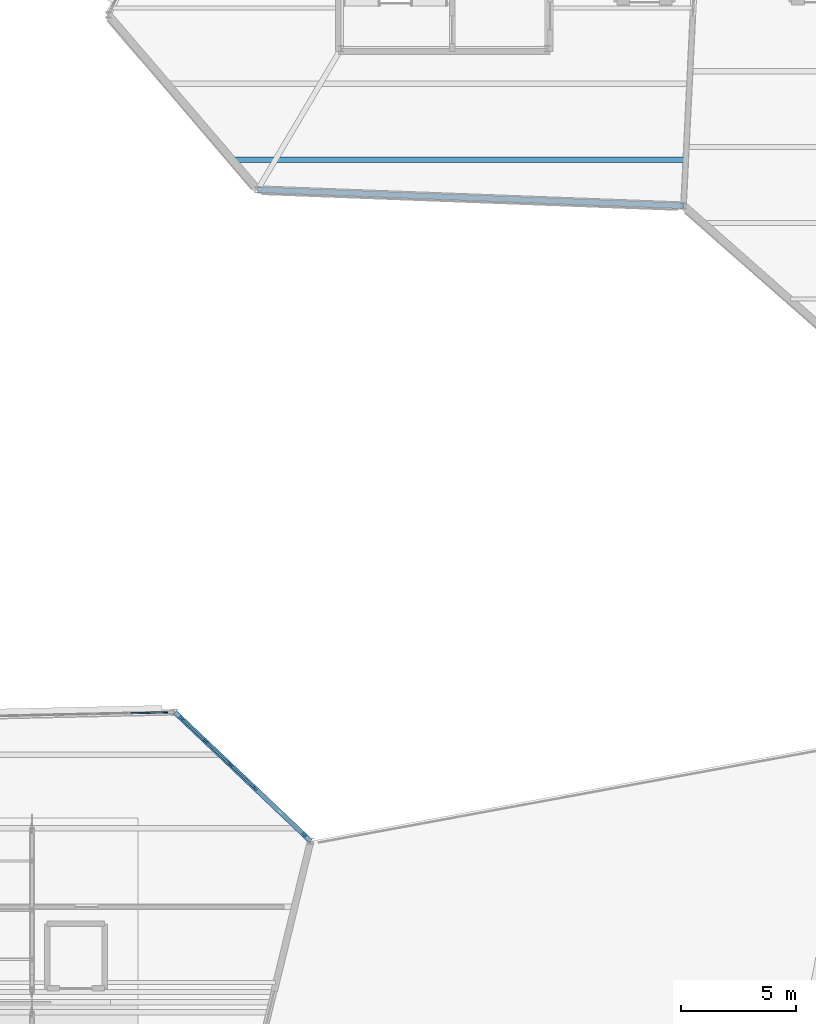
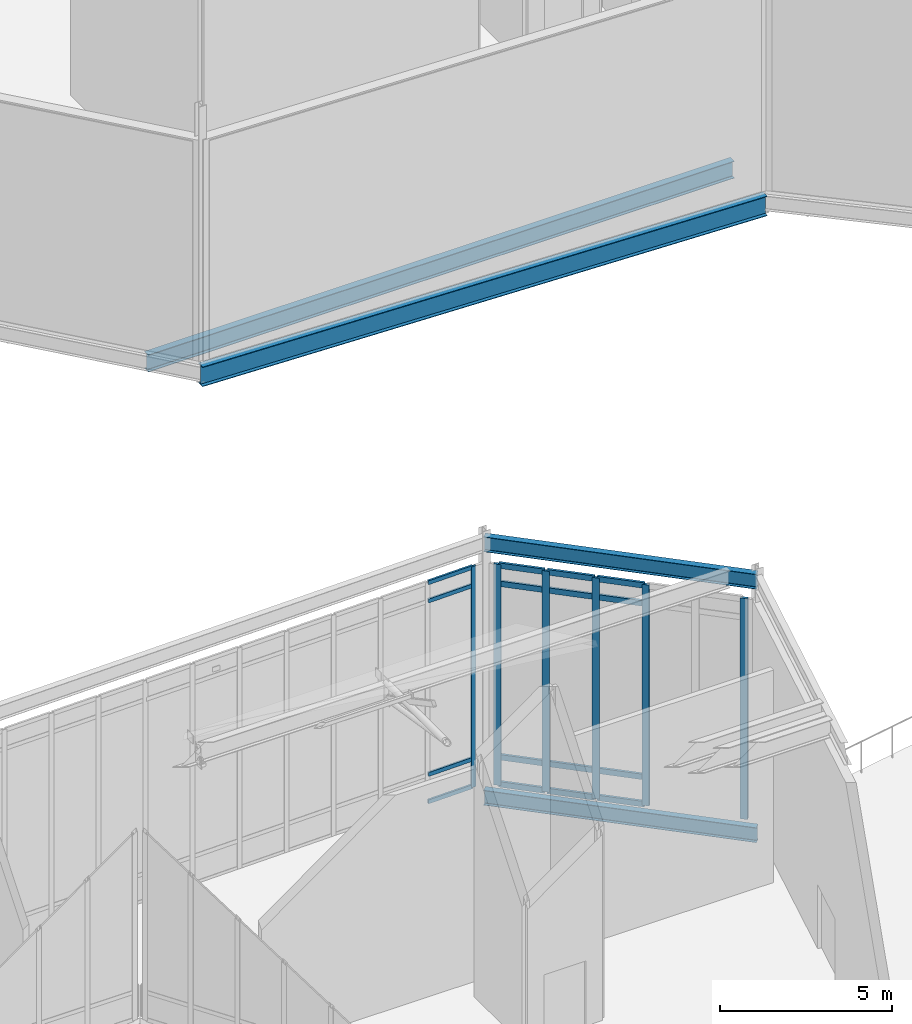
# One storey, part 31 of 66: 22 members, 4 beams, 2 elements without a shape of their own.
"""IFC4 building model written with IfcOpenShell, lengths in metres."""

import ifcopenshell
import ifcopenshell.guid

model = None  # the IFC model being written
_history = None  # IfcOwnerHistory: only IFC2X3 demands one
_inside = {}  # id of a spatial element -> (the spatial element, [elements in it])
_under = {}  # id of a project, library or spatial element -> (it, [spatial elements below it])
_declared = {}  # id of a project -> (the project, [libraries it declares])
_typed = {}  # id of a type object -> (the type object, [elements of that type])
_made_of = {}  # id of a material, layer set ... -> (it, [elements and type objects made of it])


def new_model(schema):
    """Start an empty IFC model of exactly this schema.

    Asked for "IFC4X3", IfcOpenShell would pick the latest addendum, in which some entities
    have other attributes; the version numbers below select the first issue.
    IFC2X3 requires an IfcOwnerHistory on every rooted entity: one is made here for all.
    """
    global model, _history
    if schema == "IFC4X3":
        model = ifcopenshell.file(schema_version=(4, 3, 0, 0))
    else:
        model = ifcopenshell.file(schema=schema)
    _inside.clear()
    _under.clear()
    _declared.clear()
    _typed.clear()
    _made_of.clear()
    _history = None
    if model.schema == "IFC2X3":
        org = make("IfcOrganization", Name="unknown")
        user = make(
            "IfcPersonAndOrganization",
            ThePerson=make("IfcPerson", FamilyName="unknown"),
            TheOrganization=org,
        )
        app = make(
            "IfcApplication",
            ApplicationDeveloper=org,
            Version="unknown",
            ApplicationFullName="unknown",
            ApplicationIdentifier="unknown",
        )
        _history = make(
            "IfcOwnerHistory",
            OwningUser=user,
            OwningApplication=app,
            ChangeAction="ADDED",
            CreationDate=0,
        )
    return model


def make(cls, **values):
    """One entity of the class cls with the attributes given. An attribute that is None is left unset."""
    return model.create_entity(
        cls, **{name: value for name, value in values.items() if value is not None}
    )


def rooted(cls, **values):
    """An entity with a GlobalId (a new one), such as an element, a storey or a relation."""
    return make(cls, GlobalId=ifcopenshell.guid.new(), OwnerHistory=_history, **values)


def si_unit(unit_type, name, prefix=None):
    """IfcSIUnit, for example si_unit("LENGTHUNIT", "METRE", prefix="MILLI")."""
    return make("IfcSIUnit", UnitType=unit_type, Prefix=prefix, Name=name)


def assignment(units):
    """IfcUnitAssignment: the units of a project."""
    return None if units is None else make("IfcUnitAssignment", Units=units)


def point(xyz):
    """IfcCartesianPoint."""
    return None if xyz is None else make("IfcCartesianPoint", Coordinates=xyz)


def direction(xyz):
    """IfcDirection."""
    return None if xyz is None else make("IfcDirection", DirectionRatios=xyz)


def frame(location, z_axis=None, x_axis=None):
    """IfcAxis2Placement3D, a coordinate frame: its origin and axes. An axis left out is left unset."""
    return make(
        "IfcAxis2Placement3D",
        Location=point(location),
        Axis=direction(z_axis),
        RefDirection=direction(x_axis),
    )


def frame_2d(location, x_axis=None):
    """IfcAxis2Placement2D, a coordinate frame in the plane: its origin and x axis."""
    return make(
        "IfcAxis2Placement2D", Location=point(location), RefDirection=direction(x_axis)
    )


def origin():
    """The frame at (0, 0, 0) with its axes left unset."""
    return frame((0.0, 0.0, 0.0))


def origin_2d():
    """The frame at (0, 0) in the plane with its x axis left unset."""
    return frame_2d((0.0, 0.0))


def place(relative_to, where):
    """IfcLocalPlacement: puts the frame where relative to a parent placement (None: the world)."""
    return make(
        "IfcLocalPlacement", PlacementRelTo=relative_to, RelativePlacement=where
    )


def context(
    kind, dimensions, precision=None, world=None, true_north=None, identifier=None
):
    """IfcGeometricRepresentationContext, for example the 3D "Model" context."""
    return make(
        "IfcGeometricRepresentationContext",
        ContextIdentifier=identifier,
        ContextType=kind,
        CoordinateSpaceDimension=dimensions,
        Precision=precision,
        WorldCoordinateSystem=world,
        TrueNorth=true_north,
    )


def subcontext(parent, identifier, kind, view, scale=None):
    """IfcGeometricRepresentationSubContext, for example "Body" below "Model"."""
    return make(
        "IfcGeometricRepresentationSubContext",
        ContextIdentifier=identifier,
        ContextType=kind,
        ParentContext=parent,
        TargetScale=scale,
        TargetView=view,
    )


def project(units=None, contexts=None):
    """IfcProject with its units and contexts."""
    return rooted(
        "IfcProject",
        Name="project",
        RepresentationContexts=contexts,
        UnitsInContext=assignment(units),
    )


def spatial(cls, under=None, at=None, **own):
    """A site, building, storey or space (cls), placed at a placement, below another one or the project."""
    s = rooted(cls, ObjectPlacement=at, **own)
    if under is not None:
        _under.setdefault(under.id(), (under, []))[1].append(s)
    return s


def profile(cls, at=None, kind="AREA", **sizes):
    """A parametric profile (cls). Its sizes go by their IFC names, for example OverallWidth=200.0."""
    return make(cls, ProfileType=kind, Position=at, **sizes)


def rectangle(**sizes):
    """IfcRectangleProfileDef."""
    return profile("IfcRectangleProfileDef", **sizes)


def i_section(**sizes):
    """IfcIShapeProfileDef."""
    return profile("IfcIShapeProfileDef", **sizes)


def extrude(swept, where, along, depth):
    """IfcExtrudedAreaSolid: the profile swept, set in the frame where, extruded along a direction by depth."""
    return make(
        "IfcExtrudedAreaSolid",
        SweptArea=swept,
        Position=where,
        ExtrudedDirection=direction(along),
        Depth=depth,
    )


def shape(context_of_items, identifier, shape_type, items):
    """IfcShapeRepresentation: the items that make up one representation, for example the "Body"."""
    return make(
        "IfcShapeRepresentation",
        ContextOfItems=context_of_items,
        RepresentationIdentifier=identifier,
        RepresentationType=shape_type,
        Items=items,
    )


def material(Name=None, Category=None):
    """IfcMaterial."""
    return make("IfcMaterial", Name=Name, Category=Category)


def material_profile(
    of_material, cross_section, Name=None, Category=None, Priority=None
):
    """IfcMaterialProfile: a cross section and its material."""
    return make(
        "IfcMaterialProfile",
        Name=Name,
        Material=of_material,
        Profile=cross_section,
        Priority=Priority,
        Category=Category,
    )


def profile_set(profiles, Name=None, composite=None):
    """IfcMaterialProfileSet."""
    return make(
        "IfcMaterialProfileSet",
        Name=Name,
        MaterialProfiles=profiles,
        CompositeProfile=composite,
    )


def made_of(thing, what):
    """Note that an element or type object is made of a material, layer set ...; save() writes the relation."""
    if what is not None:
        _made_of.setdefault(what.id(), (what, []))[1].append(thing)
    return thing


def type_object(cls, material=None, **own):
    """A type object (cls), such as IfcWallType, which elements share."""
    return made_of(rooted(cls, **own), material)


def element(
    cls,
    number,
    at=None,
    inside=None,
    cuts=None,
    type_object=None,
    material=None,
    context=None,
    identifier="Body",
    shape_type=None,
    held_by="IfcProductDefinitionShape",
    body=None,
    shapes=None,
    **own,
):
    """One element of the class cls, such as IfcWall. Its Tag is "e" and its number.

    at: its placement. inside: the storey or other place that contains it. cuts: it is an
    opening in that element (IfcRelVoidsElement). A single representation is given by context,
    identifier, shape_type and body (its items); several are given by shapes. held_by: the class
    of the entity that holds the representations. save() writes the other relations.
    """
    e = rooted(cls, Tag="e%d" % number, ObjectPlacement=at, **own)
    if body is not None:
        shapes = [shape(context, identifier, shape_type, body)]
    if shapes is not None:
        e.Representation = make(held_by, Representations=shapes)
    if inside is not None:
        _inside.setdefault(inside.id(), (inside, []))[1].append(e)
    if cuts is not None:
        rooted(
            "IfcRelVoidsElement", RelatingBuildingElement=cuts, RelatedOpeningElement=e
        )
    if type_object is not None:
        _typed.setdefault(type_object.id(), (type_object, []))[1].append(e)
    return made_of(e, material)


def aggregate(whole, parts):
    """IfcRelAggregates: a whole, such as a stair, and the parts it consists of."""
    return rooted("IfcRelAggregates", RelatingObject=whole, RelatedObjects=parts)


def save(model, path):
    """Write the relations noted so far, then the file.

    IfcRelAggregates (storeys below a building ...), IfcRelContainedInSpatialStructure (elements
    in a storey), IfcRelDefinesByType, IfcRelAssociatesMaterial and IfcRelDeclares: one each for
    every whole, place, type object, material and project.
    """
    for whole, parts in _under.values():
        aggregate(whole, parts)
    for where, things in _inside.values():
        rooted(
            "IfcRelContainedInSpatialStructure",
            RelatedElements=things,
            RelatingStructure=where,
        )
    for kind, things in _typed.values():
        rooted("IfcRelDefinesByType", RelatedObjects=things, RelatingType=kind)
    for what, things in _made_of.values():
        rooted("IfcRelAssociatesMaterial", RelatedObjects=things, RelatingMaterial=what)
    for by, libraries in _declared.values():
        rooted("IfcRelDeclares", RelatingContext=by, RelatedDefinitions=libraries)
    model.write(path)


model = new_model("IFC4")

# Units and contexts
model_context = context("Model", 3, precision=1e-05, world=origin(), true_north=direction((0.0, 1.0)))
body_context = subcontext(model_context, "Body", "Model", "MODEL_VIEW")
ifc_project = project(units=[si_unit("LENGTHUNIT", "METRE"), si_unit("AREAUNIT", "SQUARE_METRE"), si_unit("VOLUMEUNIT", "CUBIC_METRE"), si_unit("PLANEANGLEUNIT", "RADIAN"), si_unit("MASSUNIT", "GRAM", prefix="KILO")], contexts=[model_context])

# Site, building, storey
site_placement = place(None, origin())
site = spatial("IfcSite", under=ifc_project, at=site_placement, CompositionType="ELEMENT")
building_placement = place(site_placement, origin())
building = spatial("IfcBuilding", under=site, at=building_placement, Name="Tameran Prism Museum", CompositionType="ELEMENT")
storey_placement = place(building_placement, frame((0.0, 0.0, 19.800048828125)))
storey = spatial("IfcBuildingStorey", under=building, at=storey_placement, Name="L04", CompositionType="ELEMENT", Elevation=19.800048828125)

# Beams
ifc_material_1 = material(Name="Steel Grade 300PLUS (300 MPa)", Category="steel")
ifc_material_profile_1 = material_profile(ifc_material_1, i_section(OverallWidth=0.208984375, OverallDepth=0.528076171875, WebThickness=0.009521484375, FlangeThickness=0.01318359375, FilletRadius=0.013916015625, at=origin_2d()))
ifc_profile_set_1 = profile_set([ifc_material_profile_1])
beam_type_1 = type_object("IfcBeamType", Name="BM-SP530B", PredefinedType="SPANDREL", material=ifc_profile_set_1)
for number, where, z_axis, x_axis, name in (
    (1, (101.699951171875, 43.0, -0.464111328125), (-0.725294606745, 0.688438619942, 0.0), (-0.688438619942, -0.725294606745, 0.0), "Perimeter Spandrel SP-1170"),
    (2, (101.699951171875, 43.0, 8.505859375), (-0.725294606745, 0.688438619942, 0.0), (-0.688438619942, -0.725294606745, 0.0), "Roof Ring Beam RB-1175"),
):
    element("IfcBeam", number, at=place(storey_placement, frame(where, z_axis=z_axis, x_axis=x_axis)), inside=storey, type_object=beam_type_1, Name=name, PredefinedType="SPANDREL", context=body_context, shape_type="SweptSolid", body=[
        extrude(i_section(OverallWidth=0.208984375, OverallDepth=0.528076171875, WebThickness=0.009521484375, FlangeThickness=0.01318359375, FilletRadius=0.013916015625, at=origin_2d()), origin(), (0.0, 0.0, 1.0), 8.134521484375),
    ])
ifc_material_2 = material(Name="Steel Grade 350 (350 MPa)", Category="steel")
ifc_material_profile_2 = material_profile(ifc_material_2, i_section(OverallWidth=0.25, OverallDepth=0.699951171875, WebThickness=0.010009765625, FlangeThickness=0.02001953125, at=origin_2d()))
ifc_profile_set_2 = profile_set([ifc_material_profile_2])
beam_type_2 = type_object("IfcBeamType", Name="BM-SP700", PredefinedType="SPANDREL", material=ifc_profile_set_2)
beam_1_placement = place(storey_placement, frame((99.39990234375, 71.300048828125, -0.590087890625), z_axis=(0.999285016412, -0.037808146934, 0.0), x_axis=(0.037808146934, 0.999285016412, 0.0)))
element("IfcBeam", 3, at=beam_1_placement, inside=storey, type_object=beam_type_2, Name="Perimeter Spandrel SP-1140", PredefinedType="SPANDREL", context=body_context, shape_type="SweptSolid", body=[
    extrude(i_section(OverallWidth=0.25, OverallDepth=0.699951171875, WebThickness=0.010009765625, FlangeThickness=0.02001953125, at=origin_2d()), origin(), (0.0, 0.0, 1.0), 18.51318359375),
])
ifc_material_3 = material(Name="Steel Grade 300PLUS (300 MPa)", Category="steel")
ifc_material_profile_3 = material_profile(ifc_material_3, i_section(OverallWidth=0.22802734375, OverallDepth=0.60693359375, WebThickness=0.01123046875, FlangeThickness=0.017333984375, FilletRadius=0.013916015625, at=origin_2d()))
ifc_profile_set_3 = profile_set([ifc_material_profile_3])
beam_type_3 = type_object("IfcBeamType", Name="BM-UB610B", PredefinedType="BEAM", material=ifc_profile_set_3)
beam_2_placement = place(storey_placement, frame((98.341064453125, 72.60009765625, -0.54345703125), z_axis=(1.0, 0.0, 0.0), x_axis=(0.0, 1.0, 0.0)))
element("IfcBeam", 4, at=beam_2_placement, inside=storey, type_object=beam_type_3, Name="Floor Beam BM-1197", PredefinedType="BEAM", context=body_context, shape_type="SweptSolid", body=[
    extrude(i_section(OverallWidth=0.22802734375, OverallDepth=0.60693359375, WebThickness=0.01123046875, FlangeThickness=0.017333984375, FilletRadius=0.013916015625, at=origin_2d()), origin(), (0.0, 0.0, 1.0), 19.615966796875),
])

# Curtain wall, member
ifc_material_4 = material(Name="Anodised Aluminium 6063-T6 and Cyclone Solar Glass", Category="aluminium")
curtain_wall_type_1 = type_object("IfcCurtainWallType", Name="CW-FAC-1754x782", PredefinedType="USERDEFINED", material=ifc_material_4)
curtain_wall_1_placement = place(storey_placement, origin())
curtain_wall_1 = element("IfcCurtainWall", 5, at=curtain_wall_1_placement, inside=storey, type_object=curtain_wall_type_1, Name="Unitised Curtain Wall CW-163", ObjectType="UNITISED CURTAIN WALL", PredefinedType="USERDEFINED")
ifc_material_5 = material(Name="Anodised Aluminium Alloy 6063-T6", Category="aluminium")
ifc_material_profile_4 = material_profile(ifc_material_5, rectangle(XDim=0.06494140625, YDim=0.159912109375, at=origin_2d()))
ifc_profile_set_4 = profile_set([ifc_material_profile_4])
member_type_1 = type_object("IfcMemberType", Name="CW-MUL-A", PredefinedType="MULLION", material=ifc_profile_set_4)
member_1_placement = place(storey_placement, frame((95.41748046875, 48.59130859375, 0.0), z_axis=(0.0, 0.0, 1.0), x_axis=(-0.021830600058, 0.999761684053, 0.0)))
member_1 = element("IfcMember", 6, at=member_1_placement, type_object=member_type_1, Name="CW-163 mullion 12", PredefinedType="MULLION", context=body_context, shape_type="SweptSolid", body=[
    extrude(rectangle(XDim=0.06494140625, YDim=0.159912109375, at=origin_2d()), origin(), (0.0, 0.0, 1.0), 7.820068359375),
])

# Curtain wall, members
ifc_material_6 = material(Name="Anodised Aluminium 6063-T6 and Cyclone Solar Glass", Category="aluminium")
curtain_wall_type_2 = type_object("IfcCurtainWallType", Name="CW-FAC-743x782", PredefinedType="USERDEFINED", material=ifc_material_6)
curtain_wall_2_placement = place(storey_placement, origin())
curtain_wall_2 = element("IfcCurtainWall", 7, at=curtain_wall_2_placement, inside=storey, type_object=curtain_wall_type_2, Name="Unitised Curtain Wall CW-162", ObjectType="UNITISED CURTAIN WALL", PredefinedType="USERDEFINED")
ifc_material_7 = material(Name="Anodised Aluminium Alloy 6063-T6", Category="aluminium")
ifc_material_profile_5 = material_profile(ifc_material_7, rectangle(XDim=0.080078125, YDim=0.219970703125, at=origin_2d()))
ifc_profile_set_5 = profile_set([ifc_material_profile_5])
member_type_2 = type_object("IfcMemberType", Name="CW-MUL-D", PredefinedType="MULLION", material=ifc_profile_set_5)
member_2_placement = place(storey_placement, frame((96.0830078125, 48.33154296875, 0.0), z_axis=(0.0, 0.0, 1.0), x_axis=(0.688438303707, 0.72529490691, 0.0)))
member_2 = element("IfcMember", 8, at=member_2_placement, type_object=member_type_2, Name="CW-162 mullion 1", PredefinedType="MULLION", context=body_context, shape_type="SweptSolid", body=[
    extrude(rectangle(XDim=0.080078125, YDim=0.219970703125, at=origin_2d()), origin(), (0.0, 0.0, 1.0), 7.820068359375),
])
member_3_placement = place(storey_placement, frame((97.13232421875, 47.33544921875, 0.0), z_axis=(0.0, 0.0, 1.0), x_axis=(0.688438303707, 0.72529490691, 0.0)))
member_3 = element("IfcMember", 9, at=member_3_placement, type_object=member_type_2, Name="CW-162 mullion 2", PredefinedType="MULLION", context=body_context, shape_type="SweptSolid", body=[
    extrude(rectangle(XDim=0.080078125, YDim=0.219970703125, at=origin_2d()), origin(), (0.0, 0.0, 1.0), 7.820068359375),
])
member_4_placement = place(storey_placement, frame((98.210693359375, 46.311767578125, 0.0), z_axis=(0.0, 0.0, 1.0), x_axis=(0.688438303707, 0.72529490691, 0.0)))
member_4 = element("IfcMember", 10, at=member_4_placement, type_object=member_type_2, Name="CW-162 mullion 3", PredefinedType="MULLION", context=body_context, shape_type="SweptSolid", body=[
    extrude(rectangle(XDim=0.080078125, YDim=0.219970703125, at=origin_2d()), origin(), (0.0, 0.0, 1.0), 7.820068359375),
])
member_5_placement = place(storey_placement, frame((99.289306640625, 45.2880859375, 0.0), z_axis=(0.0, 0.0, 1.0), x_axis=(0.688438303707, 0.72529490691, 0.0)))
member_5 = element("IfcMember", 11, at=member_5_placement, type_object=member_type_2, Name="CW-162 mullion 4", PredefinedType="MULLION", context=body_context, shape_type="SweptSolid", body=[
    extrude(rectangle(XDim=0.080078125, YDim=0.219970703125, at=origin_2d()), origin(), (0.0, 0.0, 1.0), 7.820068359375),
])
member_6_placement = place(storey_placement, frame((101.4169921875, 43.2685546875, 0.0), z_axis=(0.0, 0.0, 1.0), x_axis=(0.688438303707, 0.72529490691, 0.0)))
member_6 = element("IfcMember", 12, at=member_6_placement, type_object=member_type_2, Name="CW-162 mullion 6", PredefinedType="MULLION", context=body_context, shape_type="SweptSolid", body=[
    extrude(rectangle(XDim=0.080078125, YDim=0.219970703125, at=origin_2d()), origin(), (0.0, 0.0, 1.0), 7.820068359375),
])

# Member
ifc_material_8 = material(Name="Anodised Aluminium Alloy 6063-T6", Category="aluminium")
ifc_material_profile_6 = material_profile(ifc_material_8, rectangle(XDim=0.06494140625, YDim=0.139892578125, at=origin_2d()))
ifc_profile_set_6 = profile_set([ifc_material_profile_6])
member_type_3 = type_object("IfcMemberType", Name="CW-TRN-A", PredefinedType="USERDEFINED", material=ifc_profile_set_6)
member_7_placement = place(storey_placement, frame((93.887939453125, 48.557861328125, 0.032470703125), z_axis=(0.999761317928, 0.021847360829, 0.0), x_axis=(-0.021847360829, 0.999761317928, 0.0)))
member_7 = element("IfcMember", 13, at=member_7_placement, type_object=member_type_3, Name="CW-163 transom 11.1", ObjectType="TRANSOM", PredefinedType="USERDEFINED", context=body_context, shape_type="SweptSolid", body=[
    extrude(rectangle(XDim=0.06494140625, YDim=0.139892578125, at=origin_2d()), origin(), (0.0, 0.0, 1.0), 1.497314453125),
])

member_8_placement = place(storey_placement, frame((93.887939453125, 48.557861328125, 1.0), z_axis=(0.999761317928, 0.021847360829, 0.0), x_axis=(-0.021847360829, 0.999761317928, 0.0)))
member_8 = element("IfcMember", 14, at=member_8_placement, type_object=member_type_3, Name="CW-163 transom 11.2", ObjectType="TRANSOM", PredefinedType="USERDEFINED", context=body_context, shape_type="SweptSolid", body=[
    extrude(rectangle(XDim=0.06494140625, YDim=0.139892578125, at=origin_2d()), origin(), (0.0, 0.0, 1.0), 1.497314453125),
])

member_9_placement = place(storey_placement, frame((93.887939453125, 48.557861328125, 7.139892578125), z_axis=(0.999761317928, 0.021847360829, 0.0), x_axis=(-0.021847360829, 0.999761317928, 0.0)))
member_9 = element("IfcMember", 15, at=member_9_placement, type_object=member_type_3, Name="CW-163 transom 11.3", ObjectType="TRANSOM", PredefinedType="USERDEFINED", context=body_context, shape_type="SweptSolid", body=[
    extrude(rectangle(XDim=0.06494140625, YDim=0.139892578125, at=origin_2d()), origin(), (0.0, 0.0, 1.0), 1.497314453125),
])

member_10_placement = place(storey_placement, frame((93.887939453125, 48.557861328125, 7.787353515625), z_axis=(0.999761317928, 0.021847360829, 0.0), x_axis=(-0.021847360829, 0.999761317928, 0.0)))
member_10 = element("IfcMember", 16, at=member_10_placement, type_object=member_type_3, Name="CW-163 transom 11.4", ObjectType="TRANSOM", PredefinedType="USERDEFINED", context=body_context, shape_type="SweptSolid", body=[
    extrude(rectangle(XDim=0.06494140625, YDim=0.139892578125, at=origin_2d()), origin(), (0.0, 0.0, 1.0), 1.497314453125),
])

aggregate(curtain_wall_1, [member_1, member_7, member_8, member_9, member_10])

ifc_material_9 = material(Name="Anodised Aluminium Alloy 6063-T6", Category="aluminium")
ifc_material_profile_7 = material_profile(ifc_material_9, rectangle(XDim=0.080078125, YDim=0.195068359375, at=origin_2d()))
ifc_profile_set_7 = profile_set([ifc_material_profile_7])
member_type_4 = type_object("IfcMemberType", Name="CW-TRN-D", PredefinedType="USERDEFINED", material=ifc_profile_set_7)
member_11_placement = place(storey_placement, frame((96.112060546875, 48.303955078125, 0.0400390625), z_axis=(0.725266982543, -0.688467721853, 0.0), x_axis=(0.688467721853, 0.725266982543, 0.0)))
member_11 = element("IfcMember", 17, at=member_11_placement, type_object=member_type_4, Name="CW-162 transom 1.1", ObjectType="TRANSOM", PredefinedType="USERDEFINED", context=body_context, shape_type="SweptSolid", body=[
    extrude(rectangle(XDim=0.080078125, YDim=0.195068359375, at=origin_2d()), origin(), (0.0, 0.0, 1.0), 1.36669921875),
])

member_12_placement = place(storey_placement, frame((96.112060546875, 48.303955078125, 1.0), z_axis=(0.725266982543, -0.688467721853, 0.0), x_axis=(0.688467721853, 0.725266982543, 0.0)))
member_12 = element("IfcMember", 18, at=member_12_placement, type_object=member_type_4, Name="CW-162 transom 1.2", ObjectType="TRANSOM", PredefinedType="USERDEFINED", context=body_context, shape_type="SweptSolid", body=[
    extrude(rectangle(XDim=0.080078125, YDim=0.195068359375, at=origin_2d()), origin(), (0.0, 0.0, 1.0), 1.36669921875),
])

member_13_placement = place(storey_placement, frame((96.112060546875, 48.303955078125, 7.139892578125), z_axis=(0.725266982543, -0.688467721853, 0.0), x_axis=(0.688467721853, 0.725266982543, 0.0)))
member_13 = element("IfcMember", 19, at=member_13_placement, type_object=member_type_4, Name="CW-162 transom 1.3", ObjectType="TRANSOM", PredefinedType="USERDEFINED", context=body_context, shape_type="SweptSolid", body=[
    extrude(rectangle(XDim=0.080078125, YDim=0.195068359375, at=origin_2d()), origin(), (0.0, 0.0, 1.0), 1.36669921875),
])

member_14_placement = place(storey_placement, frame((96.112060546875, 48.303955078125, 7.780029296875), z_axis=(0.725266982543, -0.688467721853, 0.0), x_axis=(0.688467721853, 0.725266982543, 0.0)))
member_14 = element("IfcMember", 20, at=member_14_placement, type_object=member_type_4, Name="CW-162 transom 1.4", ObjectType="TRANSOM", PredefinedType="USERDEFINED", context=body_context, shape_type="SweptSolid", body=[
    extrude(rectangle(XDim=0.080078125, YDim=0.195068359375, at=origin_2d()), origin(), (0.0, 0.0, 1.0), 1.36669921875),
])

member_15_placement = place(storey_placement, frame((97.161376953125, 47.307861328125, 0.0400390625), z_axis=(0.725345941217, -0.688384533208, 0.0), x_axis=(0.688384533208, 0.725345941217, 0.0)))
member_15 = element("IfcMember", 21, at=member_15_placement, type_object=member_type_4, Name="CW-162 transom 2.1", ObjectType="TRANSOM", PredefinedType="USERDEFINED", context=body_context, shape_type="SweptSolid", body=[
    extrude(rectangle(XDim=0.080078125, YDim=0.195068359375, at=origin_2d()), origin(), (0.0, 0.0, 1.0), 1.406982421875),
])

member_16_placement = place(storey_placement, frame((97.161376953125, 47.307861328125, 1.0), z_axis=(0.725345941217, -0.688384533208, 0.0), x_axis=(0.688384533208, 0.725345941217, 0.0)))
member_16 = element("IfcMember", 22, at=member_16_placement, type_object=member_type_4, Name="CW-162 transom 2.2", ObjectType="TRANSOM", PredefinedType="USERDEFINED", context=body_context, shape_type="SweptSolid", body=[
    extrude(rectangle(XDim=0.080078125, YDim=0.195068359375, at=origin_2d()), origin(), (0.0, 0.0, 1.0), 1.406982421875),
])

member_17_placement = place(storey_placement, frame((97.161376953125, 47.307861328125, 7.139892578125), z_axis=(0.725345941217, -0.688384533208, 0.0), x_axis=(0.688384533208, 0.725345941217, 0.0)))
member_17 = element("IfcMember", 23, at=member_17_placement, type_object=member_type_4, Name="CW-162 transom 2.3", ObjectType="TRANSOM", PredefinedType="USERDEFINED", context=body_context, shape_type="SweptSolid", body=[
    extrude(rectangle(XDim=0.080078125, YDim=0.195068359375, at=origin_2d()), origin(), (0.0, 0.0, 1.0), 1.406982421875),
])

member_18_placement = place(storey_placement, frame((97.161376953125, 47.307861328125, 7.780029296875), z_axis=(0.725345941217, -0.688384533208, 0.0), x_axis=(0.688384533208, 0.725345941217, 0.0)))
member_18 = element("IfcMember", 24, at=member_18_placement, type_object=member_type_4, Name="CW-162 transom 2.4", ObjectType="TRANSOM", PredefinedType="USERDEFINED", context=body_context, shape_type="SweptSolid", body=[
    extrude(rectangle(XDim=0.080078125, YDim=0.195068359375, at=origin_2d()), origin(), (0.0, 0.0, 1.0), 1.406982421875),
])

member_19_placement = place(storey_placement, frame((98.23974609375, 46.2841796875, 0.0400390625), z_axis=(0.725345941217, -0.688384533208, 0.0), x_axis=(0.688384533208, 0.725345941217, 0.0)))
member_19 = element("IfcMember", 25, at=member_19_placement, type_object=member_type_4, Name="CW-162 transom 3.1", ObjectType="TRANSOM", PredefinedType="USERDEFINED", context=body_context, shape_type="SweptSolid", body=[
    extrude(rectangle(XDim=0.080078125, YDim=0.195068359375, at=origin_2d()), origin(), (0.0, 0.0, 1.0), 1.406982421875),
])

member_20_placement = place(storey_placement, frame((98.23974609375, 46.2841796875, 1.0), z_axis=(0.725345941217, -0.688384533208, 0.0), x_axis=(0.688384533208, 0.725345941217, 0.0)))
member_20 = element("IfcMember", 26, at=member_20_placement, type_object=member_type_4, Name="CW-162 transom 3.2", ObjectType="TRANSOM", PredefinedType="USERDEFINED", context=body_context, shape_type="SweptSolid", body=[
    extrude(rectangle(XDim=0.080078125, YDim=0.195068359375, at=origin_2d()), origin(), (0.0, 0.0, 1.0), 1.406982421875),
])

member_21_placement = place(storey_placement, frame((98.23974609375, 46.2841796875, 7.139892578125), z_axis=(0.725345941217, -0.688384533208, 0.0), x_axis=(0.688384533208, 0.725345941217, 0.0)))
member_21 = element("IfcMember", 27, at=member_21_placement, type_object=member_type_4, Name="CW-162 transom 3.3", ObjectType="TRANSOM", PredefinedType="USERDEFINED", context=body_context, shape_type="SweptSolid", body=[
    extrude(rectangle(XDim=0.080078125, YDim=0.195068359375, at=origin_2d()), origin(), (0.0, 0.0, 1.0), 1.406982421875),
])

member_22_placement = place(storey_placement, frame((98.23974609375, 46.2841796875, 7.780029296875), z_axis=(0.725345941217, -0.688384533208, 0.0), x_axis=(0.688384533208, 0.725345941217, 0.0)))
member_22 = element("IfcMember", 28, at=member_22_placement, type_object=member_type_4, Name="CW-162 transom 3.4", ObjectType="TRANSOM", PredefinedType="USERDEFINED", context=body_context, shape_type="SweptSolid", body=[
    extrude(rectangle(XDim=0.080078125, YDim=0.195068359375, at=origin_2d()), origin(), (0.0, 0.0, 1.0), 1.406982421875),
])

aggregate(curtain_wall_2, [member_2, member_3, member_4, member_5, member_6, member_11, member_12, member_13, member_14, member_15, member_16, member_17, member_18, member_19, member_20, member_21, member_22])

save(model, "model.ifc")
